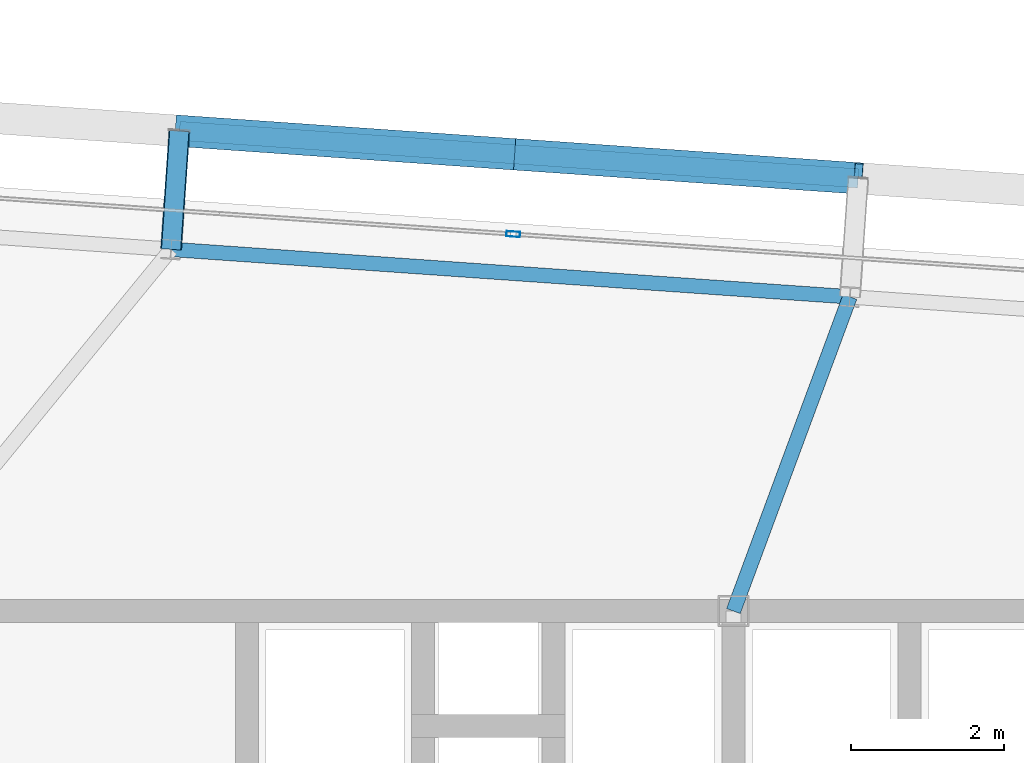
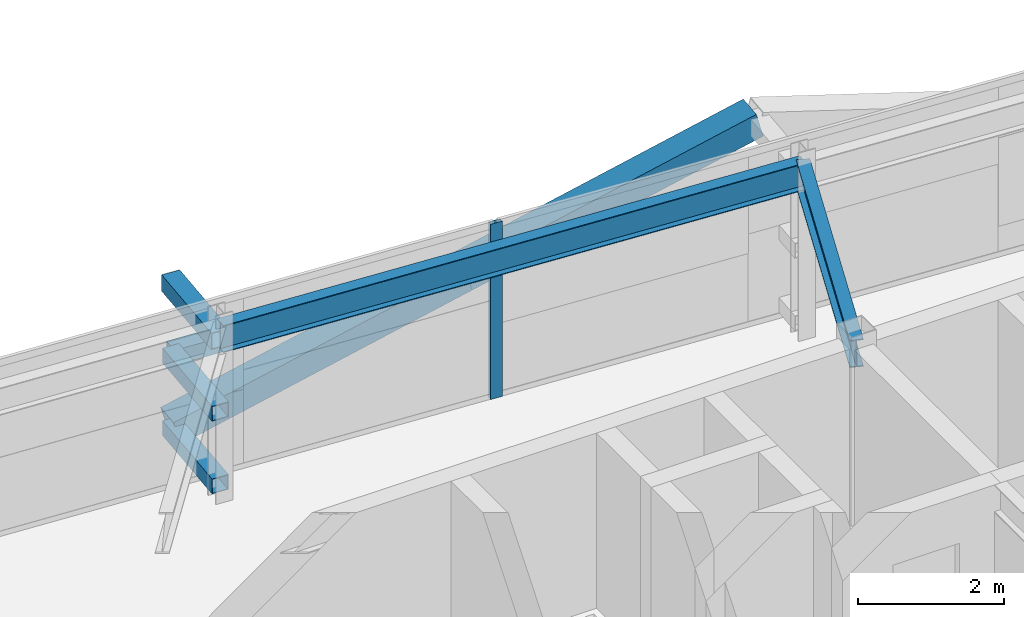
# One storey, part 22 of 39: 7 members, 2 beams, 1 element without a shape of its own.
"""IFC4 building model written with IfcOpenShell, lengths in metres."""

import ifcopenshell
import ifcopenshell.guid

model = None  # the IFC model being written
_history = None  # IfcOwnerHistory: only IFC2X3 demands one
_inside = {}  # id of a spatial element -> (the spatial element, [elements in it])
_under = {}  # id of a project, library or spatial element -> (it, [spatial elements below it])
_declared = {}  # id of a project -> (the project, [libraries it declares])
_typed = {}  # id of a type object -> (the type object, [elements of that type])
_made_of = {}  # id of a material, layer set ... -> (it, [elements and type objects made of it])


def new_model(schema):
    """Start an empty IFC model of exactly this schema.

    Asked for "IFC4X3", IfcOpenShell would pick the latest addendum, in which some entities
    have other attributes; the version numbers below select the first issue.
    IFC2X3 requires an IfcOwnerHistory on every rooted entity: one is made here for all.
    """
    global model, _history
    if schema == "IFC4X3":
        model = ifcopenshell.file(schema_version=(4, 3, 0, 0))
    else:
        model = ifcopenshell.file(schema=schema)
    _inside.clear()
    _under.clear()
    _declared.clear()
    _typed.clear()
    _made_of.clear()
    _history = None
    if model.schema == "IFC2X3":
        org = make("IfcOrganization", Name="unknown")
        user = make(
            "IfcPersonAndOrganization",
            ThePerson=make("IfcPerson", FamilyName="unknown"),
            TheOrganization=org,
        )
        app = make(
            "IfcApplication",
            ApplicationDeveloper=org,
            Version="unknown",
            ApplicationFullName="unknown",
            ApplicationIdentifier="unknown",
        )
        _history = make(
            "IfcOwnerHistory",
            OwningUser=user,
            OwningApplication=app,
            ChangeAction="ADDED",
            CreationDate=0,
        )
    return model


def make(cls, **values):
    """One entity of the class cls with the attributes given. An attribute that is None is left unset."""
    return model.create_entity(
        cls, **{name: value for name, value in values.items() if value is not None}
    )


def rooted(cls, **values):
    """An entity with a GlobalId (a new one), such as an element, a storey or a relation."""
    return make(cls, GlobalId=ifcopenshell.guid.new(), OwnerHistory=_history, **values)


def si_unit(unit_type, name, prefix=None):
    """IfcSIUnit, for example si_unit("LENGTHUNIT", "METRE", prefix="MILLI")."""
    return make("IfcSIUnit", UnitType=unit_type, Prefix=prefix, Name=name)


def assignment(units):
    """IfcUnitAssignment: the units of a project."""
    return None if units is None else make("IfcUnitAssignment", Units=units)


def point(xyz):
    """IfcCartesianPoint."""
    return None if xyz is None else make("IfcCartesianPoint", Coordinates=xyz)


def direction(xyz):
    """IfcDirection."""
    return None if xyz is None else make("IfcDirection", DirectionRatios=xyz)


def frame(location, z_axis=None, x_axis=None):
    """IfcAxis2Placement3D, a coordinate frame: its origin and axes. An axis left out is left unset."""
    return make(
        "IfcAxis2Placement3D",
        Location=point(location),
        Axis=direction(z_axis),
        RefDirection=direction(x_axis),
    )


def frame_2d(location, x_axis=None):
    """IfcAxis2Placement2D, a coordinate frame in the plane: its origin and x axis."""
    return make(
        "IfcAxis2Placement2D", Location=point(location), RefDirection=direction(x_axis)
    )


def origin():
    """The frame at (0, 0, 0) with its axes left unset."""
    return frame((0.0, 0.0, 0.0))


def origin_2d():
    """The frame at (0, 0) in the plane with its x axis left unset."""
    return frame_2d((0.0, 0.0))


def place(relative_to, where):
    """IfcLocalPlacement: puts the frame where relative to a parent placement (None: the world)."""
    return make(
        "IfcLocalPlacement", PlacementRelTo=relative_to, RelativePlacement=where
    )


def context(
    kind, dimensions, precision=None, world=None, true_north=None, identifier=None
):
    """IfcGeometricRepresentationContext, for example the 3D "Model" context."""
    return make(
        "IfcGeometricRepresentationContext",
        ContextIdentifier=identifier,
        ContextType=kind,
        CoordinateSpaceDimension=dimensions,
        Precision=precision,
        WorldCoordinateSystem=world,
        TrueNorth=true_north,
    )


def subcontext(parent, identifier, kind, view, scale=None):
    """IfcGeometricRepresentationSubContext, for example "Body" below "Model"."""
    return make(
        "IfcGeometricRepresentationSubContext",
        ContextIdentifier=identifier,
        ContextType=kind,
        ParentContext=parent,
        TargetScale=scale,
        TargetView=view,
    )


def project(units=None, contexts=None):
    """IfcProject with its units and contexts."""
    return rooted(
        "IfcProject",
        Name="project",
        RepresentationContexts=contexts,
        UnitsInContext=assignment(units),
    )


def spatial(cls, under=None, at=None, **own):
    """A site, building, storey or space (cls), placed at a placement, below another one or the project."""
    s = rooted(cls, ObjectPlacement=at, **own)
    if under is not None:
        _under.setdefault(under.id(), (under, []))[1].append(s)
    return s


def profile(cls, at=None, kind="AREA", **sizes):
    """A parametric profile (cls). Its sizes go by their IFC names, for example OverallWidth=200.0."""
    return make(cls, ProfileType=kind, Position=at, **sizes)


def hollow_rectangle(**sizes):
    """IfcRectangleHollowProfileDef."""
    return profile("IfcRectangleHollowProfileDef", **sizes)


def i_section(**sizes):
    """IfcIShapeProfileDef."""
    return profile("IfcIShapeProfileDef", **sizes)


def extrude(swept, where, along, depth):
    """IfcExtrudedAreaSolid: the profile swept, set in the frame where, extruded along a direction by depth."""
    return make(
        "IfcExtrudedAreaSolid",
        SweptArea=swept,
        Position=where,
        ExtrudedDirection=direction(along),
        Depth=depth,
    )


def shape(context_of_items, identifier, shape_type, items):
    """IfcShapeRepresentation: the items that make up one representation, for example the "Body"."""
    return make(
        "IfcShapeRepresentation",
        ContextOfItems=context_of_items,
        RepresentationIdentifier=identifier,
        RepresentationType=shape_type,
        Items=items,
    )


def source(mapping_origin, context_of_items, identifier, shape_type, items):
    """IfcRepresentationMap: a shape defined once, which mapped items show again and again."""
    return make(
        "IfcRepresentationMap",
        MappingOrigin=mapping_origin,
        MappedRepresentation=shape(context_of_items, identifier, shape_type, items),
    )


def transform(
    local_origin,
    x_axis=None,
    y_axis=None,
    z_axis=None,
    scale=None,
    scale2=None,
    scale3=None,
    uniform=True,
):
    """IfcCartesianTransformationOperator3D, or its non-uniform kind. x_axis, y_axis, z_axis: its Axis1, 2, 3."""
    if uniform:
        return make(
            "IfcCartesianTransformationOperator3D",
            Axis1=direction(x_axis),
            Axis2=direction(y_axis),
            LocalOrigin=point(local_origin),
            Scale=scale,
            Axis3=direction(z_axis),
        )
    return make(
        "IfcCartesianTransformationOperator3DnonUniform",
        Axis1=direction(x_axis),
        Axis2=direction(y_axis),
        LocalOrigin=point(local_origin),
        Scale=scale,
        Axis3=direction(z_axis),
        Scale2=scale2,
        Scale3=scale3,
    )


def mapped(mapping_source, mapping_target):
    """IfcMappedItem: shows the shape of a source again, moved by a transform."""
    return make(
        "IfcMappedItem", MappingSource=mapping_source, MappingTarget=mapping_target
    )


def material(Name=None, Category=None):
    """IfcMaterial."""
    return make("IfcMaterial", Name=Name, Category=Category)


def layer(
    of_material, thickness, ventilated=None, Name=None, Category=None, Priority=None
):
    """IfcMaterialLayer: one layer of a wall or slab, of a material (None: an air gap)."""
    return make(
        "IfcMaterialLayer",
        Material=of_material,
        LayerThickness=thickness,
        IsVentilated=ventilated,
        Name=Name,
        Category=Category,
        Priority=Priority,
    )


def layer_set(layers, Name=None):
    """IfcMaterialLayerSet."""
    return make("IfcMaterialLayerSet", MaterialLayers=layers, LayerSetName=Name)


def material_profile(
    of_material, cross_section, Name=None, Category=None, Priority=None
):
    """IfcMaterialProfile: a cross section and its material."""
    return make(
        "IfcMaterialProfile",
        Name=Name,
        Material=of_material,
        Profile=cross_section,
        Priority=Priority,
        Category=Category,
    )


def profile_set(profiles, Name=None, composite=None):
    """IfcMaterialProfileSet."""
    return make(
        "IfcMaterialProfileSet",
        Name=Name,
        MaterialProfiles=profiles,
        CompositeProfile=composite,
    )


def made_of(thing, what):
    """Note that an element or type object is made of a material, layer set ...; save() writes the relation."""
    if what is not None:
        _made_of.setdefault(what.id(), (what, []))[1].append(thing)
    return thing


def type_object(cls, material=None, **own):
    """A type object (cls), such as IfcWallType, which elements share."""
    return made_of(rooted(cls, **own), material)


def element(
    cls,
    number,
    at=None,
    inside=None,
    cuts=None,
    type_object=None,
    material=None,
    context=None,
    identifier="Body",
    shape_type=None,
    held_by="IfcProductDefinitionShape",
    body=None,
    shapes=None,
    **own,
):
    """One element of the class cls, such as IfcWall. Its Tag is "e" and its number.

    at: its placement. inside: the storey or other place that contains it. cuts: it is an
    opening in that element (IfcRelVoidsElement). A single representation is given by context,
    identifier, shape_type and body (its items); several are given by shapes. held_by: the class
    of the entity that holds the representations. save() writes the other relations.
    """
    e = rooted(cls, Tag="e%d" % number, ObjectPlacement=at, **own)
    if body is not None:
        shapes = [shape(context, identifier, shape_type, body)]
    if shapes is not None:
        e.Representation = make(held_by, Representations=shapes)
    if inside is not None:
        _inside.setdefault(inside.id(), (inside, []))[1].append(e)
    if cuts is not None:
        rooted(
            "IfcRelVoidsElement", RelatingBuildingElement=cuts, RelatedOpeningElement=e
        )
    if type_object is not None:
        _typed.setdefault(type_object.id(), (type_object, []))[1].append(e)
    return made_of(e, material)


def aggregate(whole, parts):
    """IfcRelAggregates: a whole, such as a stair, and the parts it consists of."""
    return rooted("IfcRelAggregates", RelatingObject=whole, RelatedObjects=parts)


def save(model, path):
    """Write the relations noted so far, then the file.

    IfcRelAggregates (storeys below a building ...), IfcRelContainedInSpatialStructure (elements
    in a storey), IfcRelDefinesByType, IfcRelAssociatesMaterial and IfcRelDeclares: one each for
    every whole, place, type object, material and project.
    """
    for whole, parts in _under.values():
        aggregate(whole, parts)
    for where, things in _inside.values():
        rooted(
            "IfcRelContainedInSpatialStructure",
            RelatedElements=things,
            RelatingStructure=where,
        )
    for kind, things in _typed.values():
        rooted("IfcRelDefinesByType", RelatedObjects=things, RelatingType=kind)
    for what, things in _made_of.values():
        rooted("IfcRelAssociatesMaterial", RelatedObjects=things, RelatingMaterial=what)
    for by, libraries in _declared.values():
        rooted("IfcRelDeclares", RelatingContext=by, RelatedDefinitions=libraries)
    model.write(path)


model = new_model("IFC4")

# Units and contexts
model_context = context("Model", 3, precision=1e-05, world=origin(), true_north=direction((0.0, 1.0)))
body_context = subcontext(model_context, "Body", "Model", "MODEL_VIEW")
ifc_project = project(units=[si_unit("LENGTHUNIT", "METRE"), si_unit("AREAUNIT", "SQUARE_METRE"), si_unit("VOLUMEUNIT", "CUBIC_METRE"), si_unit("PLANEANGLEUNIT", "RADIAN"), si_unit("MASSUNIT", "GRAM", prefix="KILO")], contexts=[model_context])

# Site, building, storey
site_placement = place(None, origin())
site = spatial("IfcSite", under=ifc_project, at=site_placement, CompositionType="ELEMENT")
building_placement = place(site_placement, origin())
building = spatial("IfcBuilding", under=site, at=building_placement, Name="Taldren Reach Tower", CompositionType="ELEMENT")
storey_placement = place(building_placement, frame((0.0, 0.0, 145.60009765625)))
storey = spatial("IfcBuildingStorey", under=building, at=storey_placement, Name="L44", CompositionType="ELEMENT", Elevation=145.60009765625)

# Members
ifc_material_1 = material(Name="Steel Gr 450 (C450L0)", Category="steel")
ifc_material_profile_1 = material_profile(ifc_material_1, hollow_rectangle(XDim=0.27490234375, YDim=0.27490234375, WallThickness=0.00927734375, at=origin_2d()), Name="275x275x9.3SHS")
ifc_profile_set_1 = profile_set([ifc_material_profile_1], Name="Steel Gr 450 (C450L0)")
member_type_1 = type_object("IfcMemberType", Name="MB-TIE273", PredefinedType="STRUT", material=ifc_profile_set_1)
shared_shape_1 = source(origin(), body_context, "Body", "SweptSolid", [
    extrude(hollow_rectangle(XDim=0.27490234375, YDim=0.27490234375, WallThickness=0.00927734375, at=origin_2d()), origin(), (0.0, 0.0, 1.0), 1.5498046875),
])
member_1_placement = place(storey_placement, frame((31.861328125, 36.719970703125, 2.64990234375), z_axis=(0.069780535098, 0.997562367434, 0.0), x_axis=(-0.997562367434, 0.069780535098, 0.0)))
element("IfcMember", 1, at=member_1_placement, inside=storey, type_object=member_type_1, Name="Exoskeleton diaphragm tie strut B3-N3 L44", PredefinedType="STRUT", context=body_context, shape_type="MappedRepresentation", body=[
    mapped(shared_shape_1, transform((0.0, 0.0, 0.0), scale=1.0)),
])
ifc_material_2 = material(Name="Steel Gr 350 (C350L0)", Category="steel")
ifc_material_profile_2 = material_profile(ifc_material_2, hollow_rectangle(XDim=0.25, YDim=0.25, WallThickness=0.010009765625, at=origin_2d()), Name="250x250x10.0SHS")
ifc_profile_set_2 = profile_set([ifc_material_profile_2], Name="Steel Gr 350 (C350L0)")
member_type_2 = type_object("IfcMemberType", Name="MB-POST250", PredefinedType="POST", material=ifc_profile_set_2)
shared_shape_2 = source(origin(), body_context, "Body", "SweptSolid", [
    extrude(hollow_rectangle(XDim=0.25, YDim=0.25, WallThickness=0.010009765625, at=origin_2d()), origin(), (0.0, 0.0, 1.0), 1.5498046875),
])
for number, where, z_axis, x_axis, name in (
    (2, (31.861328125, 36.719970703125, 0.219970703125), (0.069780535098, 0.997562367434, 0.0), (-0.997562367434, 0.069780535098, 0.0), "Exoskeleton base diaphragm tie strut B3-N3 L44"),
    (3, (31.861328125, 36.719970703125, 1.434814453125), (0.069780535098, 0.997562367434, 0.0), (-0.997562367434, 0.069780535098, 0.0), "Exoskeleton mid-tier diaphragm tie B3-N3 L44"),
):
    element("IfcMember", number, at=place(storey_placement, frame(where, z_axis=z_axis, x_axis=x_axis)), inside=storey, type_object=member_type_2, Name=name, PredefinedType="POST", context=body_context, shape_type="MappedRepresentation", body=[
        mapped(shared_shape_2, transform((0.0, 0.0, 0.0), scale=1.0)),
    ])

# Beams
ifc_material_3 = material(Name="Steel Gr 350 (350PLUS)", Category="steel")
ifc_material_profile_3 = material_profile(ifc_material_3, i_section(OverallWidth=0.18994140625, OverallDepth=0.4541015625, WebThickness=0.008544921875, FlangeThickness=0.0126953125, at=origin_2d()), Name="460UB67.1")
ifc_profile_set_3 = profile_set([ifc_material_profile_3], Name="Steel Gr 350 (350PLUS)")
beam_type_1 = type_object("IfcBeamType", Name="SP-UB460B", PredefinedType="SPANDREL", material=ifc_profile_set_3)
shared_shape_3 = source(origin(), body_context, "Body", "SweptSolid", [
    extrude(i_section(OverallWidth=0.18994140625, OverallDepth=0.4541015625, WebThickness=0.008544921875, FlangeThickness=0.0126953125, at=origin_2d()), origin(), (0.0, 0.0, 1.0), 8.880126953125),
])
beam_1_placement = place(storey_placement, frame((40.7197265625, 36.100341796875, 2.702880859375), z_axis=(-0.997562566276, 0.06977769246, 0.0), x_axis=(-0.06977769246, -0.997562566276, 0.0)))
element("IfcBeam", 4, at=beam_1_placement, inside=storey, type_object=beam_type_1, Name="Perimeter spandrel B3 N4-N3 L44", PredefinedType="SPANDREL", context=body_context, shape_type="MappedRepresentation", body=[
    mapped(shared_shape_3, transform((0.0, 0.0, 0.0), scale=1.0)),
])
ifc_material_profile_4 = material_profile(ifc_material_3, i_section(OverallWidth=0.19091796875, OverallDepth=0.4599609375, WebThickness=0.010009765625, FlangeThickness=0.01611328125, at=origin_2d()), Name="460UB82.1")
ifc_profile_set_4 = profile_set([ifc_material_profile_4], Name="Steel Gr 350 (350PLUS)")
beam_type_2 = type_object("IfcBeamType", Name="BM-UB460A", PredefinedType="BEAM", material=ifc_profile_set_4)
shared_shape_4 = source(origin(), body_context, "Body", "SweptSolid", [
    extrude(i_section(OverallWidth=0.19091796875, OverallDepth=0.4599609375, WebThickness=0.010009765625, FlangeThickness=0.01611328125, at=origin_2d()), origin(), (0.0, 0.0, 1.0), 4.373046875),
])
beam_2_placement = place(storey_placement, frame((39.199951171875, 32.0, 2.699951171875), z_axis=(0.347541638975, 0.937664550454, 0.0), x_axis=(-0.937664550454, 0.347541638975, 0.0)))
element("IfcBeam", 5, at=beam_2_placement, inside=storey, type_object=beam_type_2, Name="Primary floor girder B3-N4 L44", PredefinedType="BEAM", context=body_context, shape_type="MappedRepresentation", body=[
    mapped(shared_shape_4, transform((0.0, 0.0, 0.0), scale=1.0)),
])

# Members
shared_shape_5 = source(origin(), body_context, "Body", "SweptSolid", [
    extrude(hollow_rectangle(XDim=0.25, YDim=0.25, WallThickness=0.010009765625, at=origin_2d()), origin(), (0.0, 0.0, 1.0), 8.880126953125),
])
member_2_placement = place(storey_placement, frame((31.969482421875, 38.26611328125, 1.434814453125), z_axis=(0.997564479639, -0.069750333063, 0.0), x_axis=(0.069750333063, 0.997564479639, 0.0)))
element("IfcMember", 6, at=member_2_placement, inside=storey, type_object=member_type_2, Name="Exoskeleton mid-height ring chord B3-N3 L44", PredefinedType="POST", context=body_context, shape_type="MappedRepresentation", body=[
    mapped(shared_shape_5, transform((0.0, 0.0, 0.0), scale=1.0)),
])
ifc_material_profile_5 = material_profile(ifc_material_1, hollow_rectangle(XDim=0.409912109375, YDim=0.409912109375, WallThickness=0.01611328125, at=origin_2d()), Name="410x410x16.0SHS")
ifc_profile_set_5 = profile_set([ifc_material_profile_5], Name="Steel Gr 450 (C450L0)")
member_type_3 = type_object("IfcMemberType", Name="MB-EXO406", PredefinedType="BRACE", material=ifc_profile_set_5)
shared_shape_6 = source(origin(), body_context, "Body", "SweptSolid", [
    extrude(hollow_rectangle(XDim=0.409912109375, YDim=0.409912109375, WallThickness=0.01611328125, at=origin_2d()), origin(), (0.0, 0.0, 1.0), 4.603271484375),
])
for number, where, z_axis, x_axis, name in (
    (7, (31.969482421875, 38.26611328125, 0.219970703125), (0.962195820062, -0.067303852699, 0.263911718699), (0.06977769246, 0.997562566276, 0.0), "Exoskeleton Diagrid Brace B3-N3 L44"),
    (8, (36.398681640625, 37.956298828125, 1.434814453125), (0.962185784239, -0.067250114343, 0.263962002434), (0.069722973508, 0.997566392259, 0.0), "Exoskeleton Diagrid Brace B3-N3 L44"),
):
    element("IfcMember", number, at=place(storey_placement, frame(where, z_axis=z_axis, x_axis=x_axis)), inside=storey, type_object=member_type_3, Name=name, PredefinedType="BRACE", context=body_context, shape_type="MappedRepresentation", body=[
        mapped(shared_shape_6, transform((0.0, 0.0, 0.0), scale=1.0)),
    ])

# Curtain wall, member
ifc_material_4 = material(Name="Aluminium and Low-E Glass Unitised System", Category="aluminium")
ifc_layer = layer(ifc_material_4, 0.159912109375)
ifc_layer_set = layer_set([ifc_layer], Name="Aluminium and Low-E Glass Unitised System")
curtain_wall_type = type_object("IfcCurtainWallType", Name="CW-SYS-4", PredefinedType="NOTDEFINED", material=ifc_layer_set)
curtain_wall_placement = place(storey_placement, origin())
curtain_wall = element("IfcCurtainWall", 9, at=curtain_wall_placement, inside=storey, type_object=curtain_wall_type, Name="Unitised curtain wall CW-L44-N", PredefinedType="NOTDEFINED")
ifc_material_5 = material(Name="Anodised Aluminium 6063-T6", Category="aluminium")
ifc_material_profile_6 = material_profile(ifc_material_5, hollow_rectangle(XDim=0.070068359375, YDim=0.179931640625, WallThickness=0.00390625, at=origin_2d()), Name="ALU-180x70x4RHS")
ifc_profile_set_6 = profile_set([ifc_material_profile_6], Name="Anodised Aluminium 6063-T6")
member_type_4 = type_object("IfcMemberType", Name="CW-MUL-180", PredefinedType="MULLION", material=ifc_profile_set_6)
shared_shape_7 = source(origin(), body_context, "Body", "SweptSolid", [
    extrude(hollow_rectangle(XDim=0.070068359375, YDim=0.179931640625, WallThickness=0.00390625, at=origin_2d()), origin(), (0.0, 0.0, 1.0), 2.929931640625),
])
member_3_placement = place(storey_placement, frame((36.326171875, 36.9189453125, 0.0), z_axis=(0.0, 0.0, 1.0), x_axis=(-0.06975651593, -0.99756404731, 0.0)))
member_3 = element("IfcMember", 10, at=member_3_placement, type_object=member_type_4, Name="CW-4 mullion 3", PredefinedType="MULLION", context=body_context, shape_type="MappedRepresentation", body=[
    mapped(shared_shape_7, transform((0.0, 0.0, 0.0), scale=1.0)),
])
aggregate(curtain_wall, [member_3])

save(model, "model.ifc")
